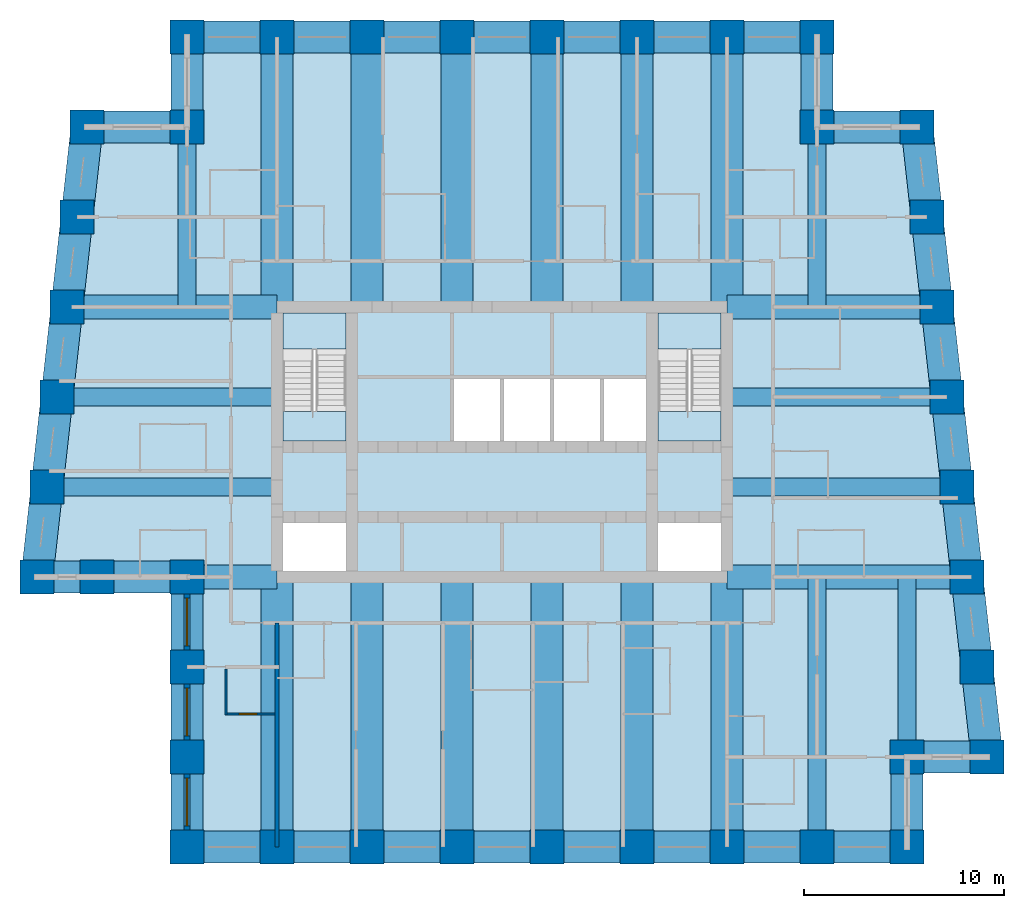
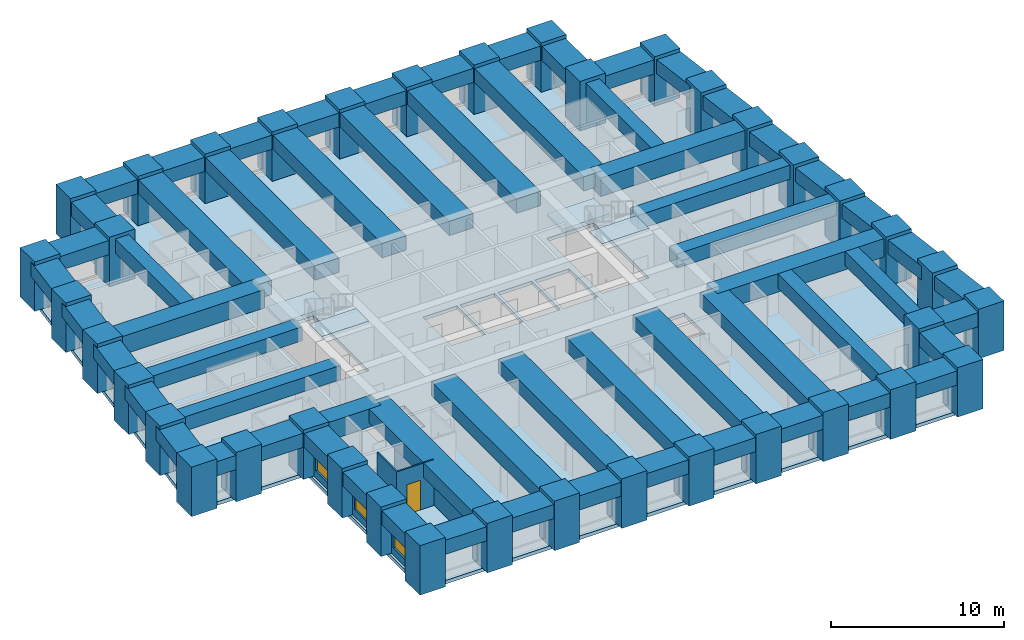
# One storey, part 1 of 8: 62 beams, 38 columns, 5 slabs, 4 walls, 3 windows, 1 door, 4 openings, 2 elements without a shape of their own.
"""IFC4 building model written with IfcOpenShell, lengths in metres."""

from ifc_helpers import new_model, si_unit, direction, frame, frame_2d, origin, origin_2d, place, context, subcontext, project, spatial, polyline, rectangle, outline, extrude, material, layer, layer_set, material_profile, profile_set, type_object, element, fill, aggregate, save


model = new_model("IFC4")

# Units and contexts
model_context = context("Model", 3, precision=1e-05, world=origin(), true_north=direction((0.0, 1.0)))
body_context = subcontext(model_context, "Body", "Model", "MODEL_VIEW")
ifc_project = project(units=[si_unit("LENGTHUNIT", "METRE"), si_unit("AREAUNIT", "SQUARE_METRE"), si_unit("VOLUMEUNIT", "CUBIC_METRE"), si_unit("PLANEANGLEUNIT", "RADIAN"), si_unit("MASSUNIT", "GRAM", prefix="KILO")], contexts=[model_context])

# Site, building, storey
site_placement = place(None, origin())
site = spatial("IfcSite", under=ifc_project, at=site_placement, CompositionType="ELEMENT")
building_placement = place(site_placement, origin())
building = spatial("IfcBuilding", under=site, at=building_placement, Name="Kilele Tower Hotel", CompositionType="ELEMENT")
storey_placement = place(building_placement, frame((0.0, 0.0, 193.89990234375)))
storey = spatial("IfcBuildingStorey", under=building, at=storey_placement, Name="L50", CompositionType="ELEMENT", Elevation=193.89990234375)

# Columns
ifc_material_1 = material(Name="Concrete C60/75", Category="concrete")
ifc_material_profile_1 = material_profile(ifc_material_1, rectangle(XDim=1.699951171875, YDim=1.699951171875, at=origin_2d()))
ifc_profile_set_1 = profile_set([ifc_material_profile_1], Name="Concrete C60/75")
column_type = type_object("IfcColumnType", Name="Tube column RC 1700x1700 C60/75", PredefinedType="COLUMN", material=ifc_profile_set_1)
for number, where, z_axis, x_axis, name in (
    (1, (1.5, 13.5, 0.0), (0.0, 0.0, 1.0), (1.0, 0.0, 0.0), "Column TC4 L50"),
    (2, (4.5, 13.5, 0.0), (0.0, 0.0, 1.0), (1.0, 0.0, 0.0), "Column TC4 L50"),
    (3, (9.0, 13.5, 0.0), (0.0, 0.0, 1.0), (1.0, 0.0, 0.0), "Column TC4 L50"),
    (4, (9.0, 9.0, 0.0), (0.0, 0.0, 1.0), (1.0, 0.0, 0.0), "Column TC4 L50"),
    (5, (9.0, 4.5, 0.0), (0.0, 0.0, 1.0), (1.0, 0.0, 0.0), "Column TC4 L50"),
    (6, (9.0, 0.0, 0.0), (0.0, 0.0, 1.0), (1.0, 0.0, 0.0), "Column TC4 L50"),
    (7, (13.5, 0.0, 0.0), (0.0, 0.0, 1.0), (1.0, 0.0, 0.0), "Column TC4 L50"),
    (8, (18.0, 0.0, 0.0), (0.0, 0.0, 1.0), (1.0, 0.0, 0.0), "Column TC4 L50"),
    (9, (22.5, 0.0, 0.0), (0.0, 0.0, 1.0), (1.0, 0.0, 0.0), "Column TC4 L50"),
    (10, (27.0, 0.0, 0.0), (0.0, 0.0, 1.0), (1.0, 0.0, 0.0), "Column TC4 L50"),
    (11, (31.5, 0.0, 0.0), (0.0, 0.0, 1.0), (1.0, 0.0, 0.0), "Column TC4 L50"),
    (12, (36.0, 0.0, 0.0), (0.0, 0.0, 1.0), (1.0, 0.0, 0.0), "Column TC4 L50"),
    (13, (40.5, 0.0, 0.0), (0.0, 0.0, 1.0), (1.0, 0.0, 0.0), "Column TC4 L50"),
    (14, (45.0, 0.0, 0.0), (0.0, 0.0, 1.0), (1.0, 0.0, 0.0), "Column TC4 L50"),
    (15, (45.0, 4.5, 0.0), (0.0, 0.0, 1.0), (1.0, 0.0, 0.0), "Column TC4 L50"),
    (16, (49.0, 4.5, 0.0), (0.0, 0.0, 1.0), (1.0, 0.0, 0.0), "Column TC4 L50"),
    (17, (48.5, 9.0, 0.0), (0.0, 0.0, 1.0), (1.0, 0.0, 0.0), "Column TC4 L50"),
    (18, (48.0, 13.5, 0.0), (0.0, 0.0, 1.0), (1.0, 0.0, 0.0), "Column TC4 L50"),
    (19, (47.5, 18.0, 0.0), (0.0, 0.0, 1.0), (1.0, 0.0, 0.0), "Column TC4 L50"),
    (20, (47.0, 22.5, 0.0), (0.0, 0.0, 1.0), (1.0, 0.0, 0.0), "Column TC4 L50"),
    (21, (46.5, 27.0, 0.0), (0.0, 0.0, 1.0), (1.0, 0.0, 0.0), "Column TC4 L50"),
    (22, (46.0, 31.5, 0.0), (0.0, 0.0, 1.0), (1.0, 0.0, 0.0), "Column TC4 L50"),
    (23, (45.5, 36.0, 0.0), (0.0, 0.0, 1.0), (1.0, 0.0, 0.0), "Column TC4 L50"),
    (24, (40.5, 36.0, 0.0), (0.0, 0.0, 1.0), (1.0, 0.0, 0.0), "Column TC4 L50"),
    (25, (40.5, 40.5, 0.0), (0.0, 0.0, 1.0), (1.0, 0.0, 0.0), "Column TC4 L50"),
    (26, (36.0, 40.5, 0.0), (0.0, 0.0, 1.0), (1.0, 0.0, 0.0), "Column TC4 L50"),
    (27, (31.5, 40.5, 0.0), (0.0, 0.0, 1.0), (1.0, 0.0, 0.0), "Column TC4 L50"),
    (28, (27.0, 40.5, 0.0), (0.0, 0.0, 1.0), (1.0, 0.0, 0.0), "Column TC4 L50"),
    (29, (22.5, 40.5, 0.0), (0.0, 0.0, 1.0), (1.0, 0.0, 0.0), "Column TC4 L50"),
    (30, (18.0, 40.5, 0.0), (0.0, 0.0, 1.0), (1.0, 0.0, 0.0), "Column TC4 L50"),
    (31, (13.5, 40.5, 0.0), (0.0, 0.0, 1.0), (1.0, 0.0, 0.0), "Column TC4 L50"),
    (32, (9.0, 40.5, 0.0), (0.0, 0.0, 1.0), (1.0, 0.0, 0.0), "Column TC4 L50"),
    (33, (9.0, 36.0, 0.0), (0.0, 0.0, 1.0), (1.0, 0.0, 0.0), "Column TC4 L50"),
    (34, (4.0, 36.0, 0.0), (0.0, 0.0, 1.0), (1.0, 0.0, 0.0), "Column TC4 L50"),
    (35, (3.5, 31.5, 0.0), (0.0, 0.0, 1.0), (1.0, 0.0, 0.0), "Column TC4 L50"),
    (36, (3.0, 27.0, 0.0), (0.0, 0.0, 1.0), (1.0, 0.0, 0.0), "Column TC4 L50"),
    (37, (2.5, 22.5, 0.0), (0.0, 0.0, 1.0), (1.0, 0.0, 0.0), "Column TC4 L50"),
    (38, (2.0, 18.0, 0.0), (0.0, 0.0, 1.0), (1.0, 0.0, 0.0), "Column TC4 L50"),
):
    element("IfcColumn", number, at=place(storey_placement, frame(where, z_axis=z_axis, x_axis=x_axis)), inside=storey, type_object=column_type, Name=name, PredefinedType="COLUMN", context=body_context, shape_type="SweptSolid", body=[
        extrude(rectangle(XDim=1.699951171875, YDim=1.699951171875, at=origin_2d()), origin(), (0.0, 0.0, 1.0), 3.5),
    ])

# Beams
ifc_material_2 = material(Name="Concrete C60/75", Category="concrete")
ifc_material_profile_2 = material_profile(ifc_material_2, rectangle(XDim=1.60009765625, YDim=1.0, at=origin_2d()))
ifc_profile_set_2 = profile_set([ifc_material_profile_2], Name="Concrete C60/75")
beam_type_1 = type_object("IfcBeamType", Name="Beam RC 1600x1000 C60/75", PredefinedType="BEAM", material=ifc_profile_set_2)
for number, where, z_axis, x_axis, name in (
    (39, (13.5, 0.0, 2.75), (0.0, 1.0, 0.0), (-1.0, 0.0, 0.0), "Beam BC1 level L51"),
    (40, (18.0, 0.0, 2.75), (0.0, 1.0, 0.0), (-1.0, 0.0, 0.0), "Beam BC1 level L51"),
    (41, (22.5, 0.0, 2.75), (0.0, 1.0, 0.0), (-1.0, 0.0, 0.0), "Beam BC1 level L51"),
    (42, (27.0, 0.0, 2.75), (0.0, 1.0, 0.0), (-1.0, 0.0, 0.0), "Beam BC1 level L51"),
    (43, (31.5, 0.0, 2.75), (0.0, 1.0, 0.0), (-1.0, 0.0, 0.0), "Beam BC1 level L51"),
    (44, (36.0, 0.0, 2.75), (0.0, 1.0, 0.0), (-1.0, 0.0, 0.0), "Beam BC1 level L51"),
    (45, (36.0, 40.5, 2.75), (0.0, -1.0, 0.0), (1.0, 0.0, 0.0), "Beam BC1 level L51"),
    (46, (31.5, 40.5, 2.75), (0.0, -1.0, 0.0), (1.0, 0.0, 0.0), "Beam BC1 level L51"),
    (47, (27.0, 40.5, 2.75), (0.0, -1.0, 0.0), (1.0, 0.0, 0.0), "Beam BC1 level L51"),
    (48, (22.5, 40.5, 2.75), (0.0, -1.0, 0.0), (1.0, 0.0, 0.0), "Beam BC1 level L51"),
    (49, (18.0, 40.5, 2.75), (0.0, -1.0, 0.0), (1.0, 0.0, 0.0), "Beam BC1 level L51"),
    (50, (13.5, 40.5, 2.75), (0.0, -1.0, 0.0), (1.0, 0.0, 0.0), "Beam BC1 level L51"),
):
    element("IfcBeam", number, at=place(storey_placement, frame(where, z_axis=z_axis, x_axis=x_axis)), inside=storey, type_object=beam_type_1, Name=name, PredefinedType="BEAM", context=body_context, shape_type="SweptSolid", body=[
        extrude(rectangle(XDim=1.60009765625, YDim=1.0, at=origin_2d()), origin(), (0.0, 0.0, 1.0), 13.5),
    ])
ifc_material_3 = material(Name="Concrete C60/75", Category="concrete")
ifc_material_profile_3 = material_profile(ifc_material_3, rectangle(XDim=0.89990234375, YDim=1.0, at=origin_2d()))
ifc_profile_set_3 = profile_set([ifc_material_profile_3], Name="Concrete C60/75")
beam_type_2 = type_object("IfcBeamType", Name="Beam RC 900x1000 C60/75", PredefinedType="BEAM", material=ifc_profile_set_3)
beam_1_placement = place(storey_placement, frame((40.5, 0.0, 2.75), z_axis=(0.0, 1.0, 0.0), x_axis=(-1.0, 0.0, 0.0)))
element("IfcBeam", 51, at=beam_1_placement, inside=storey, type_object=beam_type_2, Name="Beam B8 level L51", PredefinedType="BEAM", context=body_context, shape_type="SweptSolid", body=[
    extrude(rectangle(XDim=0.89990234375, YDim=1.0, at=origin_2d()), origin(), (0.0, 0.0, 1.0), 13.5),
])
beam_2_placement = place(storey_placement, frame((45.0, 4.5, 2.75), z_axis=(0.0, 1.0, 0.0), x_axis=(-1.0, 0.0, 0.0)))
element("IfcBeam", 52, at=beam_2_placement, inside=storey, type_object=beam_type_2, Name="Beam B8 level L51", PredefinedType="BEAM", context=body_context, shape_type="SweptSolid", body=[
    extrude(rectangle(XDim=0.89990234375, YDim=1.0, at=origin_2d()), origin(), (0.0, 0.0, 1.0), 9.0),
])
beam_3_placement = place(storey_placement, frame((47.5, 18.0, 2.75), z_axis=(-1.0, 0.0, 0.0), x_axis=(0.0, -1.0, 0.0)))
element("IfcBeam", 53, at=beam_3_placement, inside=storey, type_object=beam_type_2, Name="Beam B8 level L51", PredefinedType="BEAM", context=body_context, shape_type="SweptSolid", body=[
    extrude(rectangle(XDim=0.89990234375, YDim=1.0, at=origin_2d()), origin(), (0.0, 0.0, 1.0), 11.5),
])
beam_4_placement = place(storey_placement, frame((47.0, 22.5, 2.75), z_axis=(-1.0, 0.0, 0.0), x_axis=(0.0, -1.0, 0.0)))
element("IfcBeam", 54, at=beam_4_placement, inside=storey, type_object=beam_type_2, Name="Beam B8 level L51", PredefinedType="BEAM", context=body_context, shape_type="SweptSolid", body=[
    extrude(rectangle(XDim=0.89990234375, YDim=1.0, at=origin_2d()), origin(), (0.0, 0.0, 1.0), 11.0),
])
for number, where, z_axis, x_axis, name in (
    (55, (40.5, 36.0, 2.75), (0.0, -1.0, 0.0), (1.0, 0.0, 0.0), "Beam B8 level L51"),
    (56, (9.0, 36.0, 2.75), (0.0, -1.0, 0.0), (1.0, 0.0, 0.0), "Beam B8 level L51"),
):
    element("IfcBeam", number, at=place(storey_placement, frame(where, z_axis=z_axis, x_axis=x_axis)), inside=storey, type_object=beam_type_2, Name=name, PredefinedType="BEAM", context=body_context, shape_type="SweptSolid", body=[
        extrude(rectangle(XDim=0.89990234375, YDim=1.0, at=origin_2d()), origin(), (0.0, 0.0, 1.0), 9.0),
    ])
beam_5_placement = place(storey_placement, frame((2.5, 22.5, 2.75), z_axis=(1.0, 0.0, 0.0), x_axis=(0.0, 1.0, 0.0)))
element("IfcBeam", 57, at=beam_5_placement, inside=storey, type_object=beam_type_2, Name="Beam B8 level L51", PredefinedType="BEAM", context=body_context, shape_type="SweptSolid", body=[
    extrude(rectangle(XDim=0.89990234375, YDim=1.0, at=origin_2d()), origin(), (0.0, 0.0, 1.0), 11.0),
])
beam_6_placement = place(storey_placement, frame((2.0, 18.0, 2.75), z_axis=(1.0, 0.0, 0.0), x_axis=(0.0, 1.0, 0.0)))
element("IfcBeam", 58, at=beam_6_placement, inside=storey, type_object=beam_type_2, Name="Beam B8 level L51", PredefinedType="BEAM", context=body_context, shape_type="SweptSolid", body=[
    extrude(rectangle(XDim=0.89990234375, YDim=1.0, at=origin_2d()), origin(), (0.0, 0.0, 1.0), 11.5),
])
ifc_material_4 = material(Name="Concrete C60/75", Category="concrete")
ifc_material_profile_4 = material_profile(ifc_material_4, rectangle(XDim=1.199951171875, YDim=1.300048828125, at=origin_2d()))
ifc_profile_set_4 = profile_set([ifc_material_profile_4], Name="Concrete C60/75")
beam_type_3 = type_object("IfcBeamType", Name="Girder RC 1200x1300 C60/75", PredefinedType="BEAM", material=ifc_profile_set_4)
beam_7_placement = place(storey_placement, frame((48.0, 13.5, 2.60009765625), z_axis=(-1.0, 0.0, 0.0), x_axis=(0.0, -1.0, 0.0)))
element("IfcBeam", 59, at=beam_7_placement, inside=storey, type_object=beam_type_3, Name="Girder G1 level L51", PredefinedType="BEAM", context=body_context, shape_type="SweptSolid", body=[
    extrude(rectangle(XDim=1.199951171875, YDim=1.300048828125, at=origin_2d()), origin(), (0.0, 0.0, 1.0), 12.0),
])
ifc_material_5 = material(Name="Concrete C60/75", Category="concrete")
ifc_material_profile_5 = material_profile(ifc_material_5, rectangle(XDim=1.199951171875, YDim=1.300048828125, at=origin_2d()))
ifc_profile_set_5 = profile_set([ifc_material_profile_5], Name="Concrete C60/75")
beam_type_4 = type_object("IfcBeamType", Name="Girder RC 1200x1300 C60/75 mid span", PredefinedType="BEAM", material=ifc_profile_set_5)
for number, where, z_axis, x_axis, name in (
    (60, (46.5, 27.0, 2.60009765625), (-1.0, 0.0, 0.0), (0.0, -1.0, 0.0), "Girder G3 level L51"),
    (61, (3.0, 27.0, 2.60009765625), (1.0, 0.0, 0.0), (0.0, 1.0, 0.0), "Girder G3 level L51"),
):
    element("IfcBeam", number, at=place(storey_placement, frame(where, z_axis=z_axis, x_axis=x_axis)), inside=storey, type_object=beam_type_4, Name=name, PredefinedType="BEAM", context=body_context, shape_type="SweptSolid", body=[
        extrude(rectangle(XDim=1.199951171875, YDim=1.300048828125, at=origin_2d()), origin(), (0.0, 0.0, 1.0), 10.5),
    ])
ifc_material_6 = material(Name="Concrete C60/75", Category="concrete")
ifc_material_profile_6 = material_profile(ifc_material_6, rectangle(XDim=1.199951171875, YDim=1.300048828125, at=origin_2d()))
ifc_profile_set_6 = profile_set([ifc_material_profile_6], Name="Concrete C60/75")
beam_type_5 = type_object("IfcBeamType", Name="Girder RC 1200x1300 C60/75 short span", PredefinedType="BEAM", material=ifc_profile_set_6)
beam_8_placement = place(storey_placement, frame((9.0, 13.5, 2.60009765625), z_axis=(1.0, 0.0, 0.0), x_axis=(0.0, 1.0, 0.0)))
element("IfcBeam", 62, at=beam_8_placement, inside=storey, type_object=beam_type_5, Name="Girder G5 level L51", PredefinedType="BEAM", context=body_context, shape_type="SweptSolid", body=[
    extrude(rectangle(XDim=1.199951171875, YDim=1.300048828125, at=origin_2d()), origin(), (0.0, 0.0, 1.0), 4.5),
])
ifc_material_7 = material(Name="Concrete C60/75", Category="concrete")
ifc_material_profile_7 = material_profile(ifc_material_7, rectangle(XDim=1.60009765625, YDim=1.0, at=origin_2d()))
ifc_profile_set_7 = profile_set([ifc_material_profile_7], Name="Concrete C60/75")
beam_type_6 = type_object("IfcBeamType", Name="Spandrel RC 1600x1000 C60/75", PredefinedType="SPANDREL", material=ifc_profile_set_7)
beam_9_placement = place(storey_placement, frame((1.5, 13.5, 2.75), z_axis=(1.0, 0.0, 0.0), x_axis=(0.0, 1.0, 0.0)))
element("IfcBeam", 63, at=beam_9_placement, inside=storey, type_object=beam_type_6, Name="Spandrel SP2 level L51", PredefinedType="SPANDREL", context=body_context, shape_type="SweptSolid", body=[
    extrude(rectangle(XDim=1.60009765625, YDim=1.0, at=origin_2d()), origin(), (0.0, 0.0, 1.0), 3.0),
])
for number, where, z_axis, x_axis, name in (
    (64, (4.5, 13.5, 2.75), (1.0, 0.0, 0.0), (0.0, 1.0, 0.0), "Spandrel SP2 level L51"),
    (65, (9.0, 13.5, 2.75), (0.0, -1.0, 0.0), (1.0, 0.0, 0.0), "Spandrel SP2 level L51"),
    (66, (9.0, 9.0, 2.75), (0.0, -1.0, 0.0), (1.0, 0.0, 0.0), "Spandrel SP2 level L51"),
    (67, (9.0, 4.5, 2.75), (0.0, -1.0, 0.0), (1.0, 0.0, 0.0), "Spandrel SP2 level L51"),
    (68, (9.0, 0.0, 2.75), (1.0, 0.0, 0.0), (0.0, 1.0, 0.0), "Spandrel SP2 level L51"),
    (69, (13.5, 0.0, 2.75), (1.0, 0.0, 0.0), (0.0, 1.0, 0.0), "Spandrel SP2 level L51"),
    (70, (18.0, 0.0, 2.75), (1.0, 0.0, 0.0), (0.0, 1.0, 0.0), "Spandrel SP2 level L51"),
    (71, (22.5, 0.0, 2.75), (1.0, 0.0, 0.0), (0.0, 1.0, 0.0), "Spandrel SP2 level L51"),
    (72, (27.0, 0.0, 2.75), (1.0, 0.0, 0.0), (0.0, 1.0, 0.0), "Spandrel SP2 level L51"),
    (73, (31.5, 0.0, 2.75), (1.0, 0.0, 0.0), (0.0, 1.0, 0.0), "Spandrel SP2 level L51"),
    (74, (36.0, 0.0, 2.75), (1.0, 0.0, 0.0), (0.0, 1.0, 0.0), "Spandrel SP2 level L51"),
    (75, (40.5, 0.0, 2.75), (1.0, 0.0, 0.0), (0.0, 1.0, 0.0), "Spandrel SP2 level L51"),
    (76, (45.0, 0.0, 2.75), (0.0, 1.0, 0.0), (-1.0, 0.0, 0.0), "Spandrel SP2 level L51"),
):
    element("IfcBeam", number, at=place(storey_placement, frame(where, z_axis=z_axis, x_axis=x_axis)), inside=storey, type_object=beam_type_6, Name=name, PredefinedType="SPANDREL", context=body_context, shape_type="SweptSolid", body=[
        extrude(rectangle(XDim=1.60009765625, YDim=1.0, at=origin_2d()), origin(), (0.0, 0.0, 1.0), 4.5),
    ])
beam_10_placement = place(storey_placement, frame((45.0, 4.5, 2.75), z_axis=(1.0, 0.0, 0.0), x_axis=(0.0, 1.0, 0.0)))
element("IfcBeam", 77, at=beam_10_placement, inside=storey, type_object=beam_type_6, Name="Spandrel SP2 level L51", PredefinedType="SPANDREL", context=body_context, shape_type="SweptSolid", body=[
    extrude(rectangle(XDim=1.60009765625, YDim=1.0, at=origin_2d()), origin(), (0.0, 0.0, 1.0), 4.0),
])
for number, where, z_axis, x_axis, name in (
    (78, (49.0, 4.5, 2.75), (-0.110431526075, 0.993883734674, 0.0), (-0.993883734674, -0.110431526075, 0.0), "Spandrel SP2 level L51"),
    (79, (48.5, 9.0, 2.75), (-0.110431526075, 0.993883734674, 0.0), (-0.993883734674, -0.110431526075, 0.0), "Spandrel SP2 level L51"),
    (80, (48.0, 13.5, 2.75), (-0.110431526075, 0.993883734674, 0.0), (-0.993883734674, -0.110431526075, 0.0), "Spandrel SP2 level L51"),
    (81, (47.5, 18.0, 2.75), (-0.110431526075, 0.993883734674, 0.0), (-0.993883734674, -0.110431526075, 0.0), "Spandrel SP2 level L51"),
    (82, (47.0, 22.5, 2.75), (-0.110431526075, 0.993883734674, 0.0), (-0.993883734674, -0.110431526075, 0.0), "Spandrel SP2 level L51"),
    (83, (46.5, 27.0, 2.75), (-0.110431526075, 0.993883734674, 0.0), (-0.993883734674, -0.110431526075, 0.0), "Spandrel SP2 level L51"),
    (84, (46.0, 31.5, 2.75), (-0.110431526075, 0.993883734674, 0.0), (-0.993883734674, -0.110431526075, 0.0), "Spandrel SP2 level L51"),
):
    element("IfcBeam", number, at=place(storey_placement, frame(where, z_axis=z_axis, x_axis=x_axis)), inside=storey, type_object=beam_type_6, Name=name, PredefinedType="SPANDREL", context=body_context, shape_type="SweptSolid", body=[
        extrude(rectangle(XDim=1.60009765625, YDim=1.0, at=origin_2d()), origin(), (0.0, 0.0, 1.0), 4.527587890625),
    ])
beam_11_placement = place(storey_placement, frame((45.5, 36.0, 2.75), z_axis=(-1.0, 0.0, 0.0), x_axis=(0.0, -1.0, 0.0)))
element("IfcBeam", 85, at=beam_11_placement, inside=storey, type_object=beam_type_6, Name="Spandrel SP2 level L51", PredefinedType="SPANDREL", context=body_context, shape_type="SweptSolid", body=[
    extrude(rectangle(XDim=1.60009765625, YDim=1.0, at=origin_2d()), origin(), (0.0, 0.0, 1.0), 5.0),
])
for number, where, z_axis, x_axis, name in (
    (86, (40.5, 36.0, 2.75), (0.0, 1.0, 0.0), (-1.0, 0.0, 0.0), "Spandrel SP2 level L51"),
    (87, (40.5, 40.5, 2.75), (-1.0, 0.0, 0.0), (0.0, -1.0, 0.0), "Spandrel SP2 level L51"),
    (88, (36.0, 40.5, 2.75), (-1.0, 0.0, 0.0), (0.0, -1.0, 0.0), "Spandrel SP2 level L51"),
    (89, (31.5, 40.5, 2.75), (-1.0, 0.0, 0.0), (0.0, -1.0, 0.0), "Spandrel SP2 level L51"),
    (90, (27.0, 40.5, 2.75), (-1.0, 0.0, 0.0), (0.0, -1.0, 0.0), "Spandrel SP2 level L51"),
    (91, (22.5, 40.5, 2.75), (-1.0, 0.0, 0.0), (0.0, -1.0, 0.0), "Spandrel SP2 level L51"),
    (92, (18.0, 40.5, 2.75), (-1.0, 0.0, 0.0), (0.0, -1.0, 0.0), "Spandrel SP2 level L51"),
    (93, (13.5, 40.5, 2.75), (-1.0, 0.0, 0.0), (0.0, -1.0, 0.0), "Spandrel SP2 level L51"),
    (94, (9.0, 40.5, 2.75), (0.0, -1.0, 0.0), (1.0, 0.0, 0.0), "Spandrel SP2 level L51"),
):
    element("IfcBeam", number, at=place(storey_placement, frame(where, z_axis=z_axis, x_axis=x_axis)), inside=storey, type_object=beam_type_6, Name=name, PredefinedType="SPANDREL", context=body_context, shape_type="SweptSolid", body=[
        extrude(rectangle(XDim=1.60009765625, YDim=1.0, at=origin_2d()), origin(), (0.0, 0.0, 1.0), 4.5),
    ])
beam_12_placement = place(storey_placement, frame((9.0, 36.0, 2.75), z_axis=(-1.0, 0.0, 0.0), x_axis=(0.0, -1.0, 0.0)))
element("IfcBeam", 95, at=beam_12_placement, inside=storey, type_object=beam_type_6, Name="Spandrel SP2 level L51", PredefinedType="SPANDREL", context=body_context, shape_type="SweptSolid", body=[
    extrude(rectangle(XDim=1.60009765625, YDim=1.0, at=origin_2d()), origin(), (0.0, 0.0, 1.0), 5.0),
])
for number, where, z_axis, x_axis, name in (
    (96, (4.0, 36.0, 2.75), (-0.110431526075, -0.993883734674, 0.0), (0.993883734674, -0.110431526075, 0.0), "Spandrel SP2 level L51"),
    (97, (3.5, 31.5, 2.75), (-0.110431526075, -0.993883734674, 0.0), (0.993883734674, -0.110431526075, 0.0), "Spandrel SP2 level L51"),
    (98, (3.0, 27.0, 2.75), (-0.110431526075, -0.993883734674, 0.0), (0.993883734674, -0.110431526075, 0.0), "Spandrel SP2 level L51"),
    (99, (2.5, 22.5, 2.75), (-0.110431526075, -0.993883734674, 0.0), (0.993883734674, -0.110431526075, 0.0), "Spandrel SP2 level L51"),
    (100, (2.0, 18.0, 2.75), (-0.110431526075, -0.993883734674, 0.0), (0.993883734674, -0.110431526075, 0.0), "Spandrel SP2 level L51"),
):
    element("IfcBeam", number, at=place(storey_placement, frame(where, z_axis=z_axis, x_axis=x_axis)), inside=storey, type_object=beam_type_6, Name=name, PredefinedType="SPANDREL", context=body_context, shape_type="SweptSolid", body=[
        extrude(rectangle(XDim=1.60009765625, YDim=1.0, at=origin_2d()), origin(), (0.0, 0.0, 1.0), 4.527587890625),
    ])

# Slab
ifc_material_8 = material(Name="Concrete C60/75", Category="concrete")
ifc_layer_1 = layer(ifc_material_8, 0.25)
ifc_layer_set_1 = layer_set([ifc_layer_1], Name="Concrete C60/75")
slab_type_1 = type_object("IfcSlabType", Name="Floor slab 250", PredefinedType="FLOOR", material=ifc_layer_set_1)
slab_1_placement = place(storey_placement, frame((0.0, 0.0, -0.25)))
element("IfcSlab", 101, at=slab_1_placement, inside=storey, type_object=slab_type_1, Name="Floor slab L50", PredefinedType="FLOOR", context=body_context, shape_type="SweptSolid", body=[
    extrude(outline(polyline([(8.699951171875, 36.300048828125), (8.699951171875, 40.800048828125), (40.800048828125, 40.800048828125), (40.800048828125, 36.300048828125), (45.7685546875, 36.300048828125), (49.335205078125, 4.199951171875), (45.300048828125, 4.199951171875), (45.300048828125, -0.300048828125), (8.699951171875, -0.300048828125), (8.699951171875, 13.199951171875), (1.164794921875, 13.199951171875), (3.7314453125, 36.300048828125), (8.699951171875, 36.300048828125)]), holes=[polyline([(16.949951171875, 16.199951171875), (13.800048828125, 16.199951171875), (13.800048828125, 13.800048828125), (16.949951171875, 13.800048828125), (16.949951171875, 16.199951171875)]), polyline([(35.699951171875, 16.199951171875), (32.550048828125, 16.199951171875), (32.550048828125, 13.800048828125), (35.699951171875, 13.800048828125), (35.699951171875, 16.199951171875)]), polyline([(24.64990234375, 23.39990234375), (22.35009765625, 23.39990234375), (22.35009765625, 20.10009765625), (24.64990234375, 20.10009765625), (24.64990234375, 23.39990234375)]), polyline([(27.14990234375, 23.39990234375), (24.85009765625, 23.39990234375), (24.85009765625, 20.10009765625), (27.14990234375, 20.10009765625), (27.14990234375, 23.39990234375)]), polyline([(29.64990234375, 23.39990234375), (27.35009765625, 23.39990234375), (27.35009765625, 20.10009765625), (29.64990234375, 20.10009765625), (29.64990234375, 23.39990234375)]), polyline([(32.14990234375, 23.39990234375), (29.85009765625, 23.39990234375), (29.85009765625, 20.10009765625), (32.14990234375, 20.10009765625), (32.14990234375, 23.39990234375)]), polyline([(16.949951171875, 26.699951171875), (13.800048828125, 26.699951171875), (13.800048828125, 20.300048828125), (16.949951171875, 20.300048828125), (16.949951171875, 26.699951171875)]), polyline([(35.699951171875, 26.699951171875), (32.550048828125, 26.699951171875), (32.550048828125, 20.300048828125), (35.699951171875, 20.300048828125), (35.699951171875, 26.699951171875)])]), origin(), (0.0, 0.0, 1.0), 0.25),
])

# Stair, slabs
ifc_material_9 = material(Name="Precast concrete C40/50", Category="concrete")
stair_type = type_object("IfcStairType", Name="Stair 1475 x 3500", PredefinedType="HALF_TURN_STAIR", material=ifc_material_9)
stair_1_placement = place(storey_placement, origin())
stair_1 = element("IfcStair", 102, at=stair_1_placement, inside=storey, type_object=stair_type, Name="Stair 1 L50", PredefinedType="HALF_TURN_STAIR")
ifc_material_10 = material(Name="Precast concrete C40/50", Category="concrete")
ifc_layer_2 = layer(ifc_material_10, 0.199951171875)
ifc_layer_set_2 = layer_set([ifc_layer_2], Name="Precast concrete C40/50")
slab_type_2 = type_object("IfcSlabType", Name="Stair landing 200", PredefinedType="LANDING", material=ifc_layer_set_2)
slab_2_placement = place(storey_placement, frame((0.0, 0.0, 1.550048828125)))
slab_2 = element("IfcSlab", 103, at=slab_2_placement, type_object=slab_type_2, Name="ST1 landing 1", PredefinedType="LANDING", context=body_context, shape_type="SweptSolid", body=[
    extrude(outline(polyline([(13.800048828125, 24.89501953125), (16.949951171875, 24.89501953125), (16.949951171875, 26.699951171875), (13.800048828125, 26.699951171875), (13.800048828125, 24.89501953125)])), origin(), (0.0, 0.0, 1.0), 0.199951171875),
])
slab_3_placement = place(storey_placement, frame((0.0, 0.0, 3.300048828125)))
slab_3 = element("IfcSlab", 104, at=slab_3_placement, type_object=slab_type_2, Name="ST1 landing 2", PredefinedType="LANDING", context=body_context, shape_type="SweptSolid", body=[
    extrude(outline(polyline([(13.800048828125, 20.300048828125), (16.949951171875, 20.300048828125), (16.949951171875, 21.77490234375), (13.800048828125, 21.77490234375), (13.800048828125, 20.300048828125)])), origin(), (0.0, 0.0, 1.0), 0.199951171875),
])
aggregate(stair_1, [slab_2, slab_3])

stair_2_placement = place(storey_placement, origin())
stair_2 = element("IfcStair", 105, at=stair_2_placement, inside=storey, type_object=stair_type, Name="Stair 2 L50", PredefinedType="HALF_TURN_STAIR")
slab_4_placement = place(storey_placement, frame((0.0, 0.0, 1.550048828125)))
slab_4 = element("IfcSlab", 106, at=slab_4_placement, type_object=slab_type_2, Name="ST2 landing 1", PredefinedType="LANDING", context=body_context, shape_type="SweptSolid", body=[
    extrude(outline(polyline([(32.550048828125, 24.89501953125), (35.699951171875, 24.89501953125), (35.699951171875, 26.699951171875), (32.550048828125, 26.699951171875), (32.550048828125, 24.89501953125)])), origin(), (0.0, 0.0, 1.0), 0.199951171875),
])
slab_5_placement = place(storey_placement, frame((0.0, 0.0, 3.300048828125)))
slab_5 = element("IfcSlab", 107, at=slab_5_placement, type_object=slab_type_2, Name="ST2 landing 2", PredefinedType="LANDING", context=body_context, shape_type="SweptSolid", body=[
    extrude(outline(polyline([(32.550048828125, 20.300048828125), (35.699951171875, 20.300048828125), (35.699951171875, 21.77490234375), (32.550048828125, 21.77490234375), (32.550048828125, 20.300048828125)])), origin(), (0.0, 0.0, 1.0), 0.199951171875),
])
aggregate(stair_2, [slab_4, slab_5])

# Wall
ifc_material_11 = material(Name="Moisture-resistant board")
ifc_layer_3 = layer(ifc_material_11, 0.10009765625)
ifc_layer_set_3 = layer_set([ifc_layer_3], Name="Moisture-resistant board")
wall_type_1 = type_object("IfcWallType", Name="Bathroom partition 100", PredefinedType="PLUMBINGWALL", material=ifc_layer_set_3)
wall_1_placement = place(storey_placement, frame((10.949951171875, 8.89990234375, 0.0), z_axis=(0.0, 0.0, 1.0), x_axis=(0.0, -1.0, 0.0)))
element("IfcWall", 108, at=wall_1_placement, inside=storey, type_object=wall_type_1, Name="Bathroom partition 100 L50", PredefinedType="PLUMBINGWALL", context=body_context, shape_type="SweptSolid", body=[
    extrude(rectangle(XDim=2.2998046875, YDim=0.10009765625, at=frame_2d((1.14990234375, 0.0))), origin(), (0.0, 0.0, 1.0), 3.25),
])

# Wall, opening, door
wall_2_placement = place(storey_placement, frame((13.39990234375, 6.64990234375, 0.0), z_axis=(0.0, 0.0, 1.0), x_axis=(-1.0, 0.0, 0.0)))
wall_2 = element("IfcWall", 109, at=wall_2_placement, inside=storey, type_object=wall_type_1, Name="Bathroom partition 100 L50", PredefinedType="PLUMBINGWALL", context=body_context, shape_type="SweptSolid", body=[
    extrude(rectangle(XDim=2.5, YDim=0.10009765625, at=frame_2d((1.25, 0.0))), origin(), (0.0, 0.0, 1.0), 3.25),
])
opening_1_placement = place(wall_2_placement, frame((0.89990234375, 0.0, 0.0)))
opening_1 = element("IfcOpeningElement", 110, at=opening_1_placement, cuts=wall_2, Name="Opening D2A", PredefinedType="OPENING", context=body_context, shape_type="SweptSolid", body=[
    extrude(rectangle(XDim=0.89990234375, YDim=2.10009765625, at=frame_2d((0.449951171875, 1.050048828125))), frame((0.0, 0.06005859375, 0.0), z_axis=(0.0, -1.0, 0.0), x_axis=(1.0, 0.0, 0.0)), (0.0, 0.0, 1.0), 0.1201171875),
])
ifc_material_12 = material(Name="Timber door leaf in hardwood frame", Category="wood")
door_type = type_object("IfcDoorType", Name="Bathroom door 900", OperationType="SINGLE_SWING_LEFT", PredefinedType="DOOR", material=ifc_material_12)
door_placement = place(opening_1_placement, origin())
door = element("IfcDoor", 111, at=door_placement, inside=storey, type_object=door_type, Name="Bathroom door 5018B", OperationType="SINGLE_SWING_LEFT", OverallHeight=2.10009765625, OverallWidth=0.89990234375, PredefinedType="DOOR", context=body_context, shape_type="SweptSolid", body=[
    extrude(rectangle(XDim=0.89990234375, YDim=2.10009765625, at=frame_2d((0.449951171875, 1.050048828125))), frame((0.0, 0.02490234375, 0.0), z_axis=(0.0, -1.0, 0.0), x_axis=(1.0, 0.0, 0.0)), (0.0, 0.0, 1.0), 0.050048828125),
])
fill(opening_1, door)

# Wall
ifc_material_13 = material(Name="Blockwork, plastered both sides", Category="masonry")
ifc_layer_4 = layer(ifc_material_13, 0.199951171875)
ifc_layer_set_4 = layer_set([ifc_layer_4], Name="Blockwork, plastered both sides")
wall_type_2 = type_object("IfcWallType", Name="Party wall 200", PredefinedType="PARTITIONING", material=ifc_layer_set_4)
wall_3_placement = place(storey_placement, frame((13.5, 11.199951171875, 0.0), z_axis=(0.0, 0.0, 1.0), x_axis=(0.0, -1.0, 0.0)))
element("IfcWall", 112, at=wall_3_placement, inside=storey, type_object=wall_type_2, Name="Party wall 200 L50", PredefinedType="PARTITIONING", context=body_context, shape_type="SweptSolid", body=[
    extrude(rectangle(XDim=11.199951171875, YDim=0.199951171875, at=frame_2d((5.60009765625, 0.0))), origin(), (0.0, 0.0, 1.0), 2.25),
])

# Wall, openings, windows
ifc_material_14 = material(Name="Concrete C40/50 precast", Category="concrete")
ifc_layer_5 = layer(ifc_material_14, 0.260009765625, Name="Precast backing", Category="LoadBearing")
ifc_material_15 = material(Name="Reconstituted stone finish", Category="masonry")
ifc_layer_6 = layer(ifc_material_15, 0.0400390625, Name="Face mix", Category="Finish")
ifc_layer_set_5 = layer_set([ifc_layer_5, ifc_layer_6], Name="Precast concrete C40/50, reconstituted stone finish")
wall_type_3 = type_object("IfcWallType", Name="Precast stone facade wall 300", PredefinedType="STANDARD", material=ifc_layer_set_5)
wall_4_placement = place(storey_placement, frame((9.0, 13.64990234375, 0.0), z_axis=(0.0, 0.0, 1.0), x_axis=(0.0, -1.0, 0.0)))
wall_4 = element("IfcWall", 113, at=wall_4_placement, inside=storey, type_object=wall_type_3, Name="Facade wall L50 edge 2", PredefinedType="STANDARD", context=body_context, shape_type="SweptSolid", body=[
    extrude(rectangle(XDim=13.7998046875, YDim=0.300048828125, at=frame_2d((6.89990234375, 0.0))), origin(), (0.0, 0.0, 1.0), 2.25),
])
opening_2_placement = place(wall_4_placement, frame((1.199951171875, 0.0, 0.5)))
opening_2 = element("IfcOpeningElement", 114, at=opening_2_placement, cuts=wall_4, Name="Opening W3", PredefinedType="OPENING", context=body_context, shape_type="SweptSolid", body=[
    extrude(rectangle(XDim=2.39990234375, YDim=1.60009765625, at=frame_2d((1.199951171875, 0.800048828125))), frame((0.0, 0.159912109375, 0.0), z_axis=(0.0, -1.0, 0.0), x_axis=(1.0, 0.0, 0.0)), (0.0, 0.0, 1.0), 0.320068359375),
])
opening_3_placement = place(wall_4_placement, frame((5.699951171875, 0.0, 0.5)))
opening_3 = element("IfcOpeningElement", 115, at=opening_3_placement, cuts=wall_4, Name="Opening W3", PredefinedType="OPENING", context=body_context, shape_type="SweptSolid", body=[
    extrude(rectangle(XDim=2.39990234375, YDim=1.60009765625, at=frame_2d((1.199951171875, 0.800048828125))), frame((0.0, 0.159912109375, 0.0), z_axis=(0.0, -1.0, 0.0), x_axis=(1.0, 0.0, 0.0)), (0.0, 0.0, 1.0), 0.320068359375),
])
opening_4_placement = place(wall_4_placement, frame((10.199951171875, 0.0, 0.5)))
opening_4 = element("IfcOpeningElement", 116, at=opening_4_placement, cuts=wall_4, Name="Opening W3", PredefinedType="OPENING", context=body_context, shape_type="SweptSolid", body=[
    extrude(rectangle(XDim=2.39990234375, YDim=1.60009765625, at=frame_2d((1.199951171875, 0.800048828125))), frame((0.0, 0.159912109375, 0.0), z_axis=(0.0, -1.0, 0.0), x_axis=(1.0, 0.0, 0.0)), (0.0, 0.0, 1.0), 0.320068359375),
])
ifc_material_16 = material(Name="Aluminium frame, clear double glazing", Category="aluminium")
window_type = type_object("IfcWindowType", Name="Window W3 2400 x 1600", PartitioningType="SINGLE_PANEL", PredefinedType="WINDOW", material=ifc_material_16)
window_1_placement = place(opening_2_placement, origin())
window_1 = element("IfcWindow", 117, at=window_1_placement, inside=storey, type_object=window_type, Name="Window L50", OverallHeight=1.60009765625, OverallWidth=2.39990234375, PartitioningType="SINGLE_PANEL", PredefinedType="WINDOW", context=body_context, shape_type="SweptSolid", body=[
    extrude(rectangle(XDim=2.39990234375, YDim=1.60009765625, at=frame_2d((1.199951171875, 0.800048828125))), frame((0.0, 0.030029296875, 0.0), z_axis=(0.0, -1.0, 0.0), x_axis=(1.0, 0.0, 0.0)), (0.0, 0.0, 1.0), 0.06005859375),
])
fill(opening_2, window_1)
window_2_placement = place(opening_3_placement, origin())
window_2 = element("IfcWindow", 118, at=window_2_placement, inside=storey, type_object=window_type, Name="Window L50", OverallHeight=1.60009765625, OverallWidth=2.39990234375, PartitioningType="SINGLE_PANEL", PredefinedType="WINDOW", context=body_context, shape_type="SweptSolid", body=[
    extrude(rectangle(XDim=2.39990234375, YDim=1.60009765625, at=frame_2d((1.199951171875, 0.800048828125))), frame((0.0, 0.030029296875, 0.0), z_axis=(0.0, -1.0, 0.0), x_axis=(1.0, 0.0, 0.0)), (0.0, 0.0, 1.0), 0.06005859375),
])
fill(opening_3, window_2)
window_3_placement = place(opening_4_placement, origin())
window_3 = element("IfcWindow", 119, at=window_3_placement, inside=storey, type_object=window_type, Name="Window L50", OverallHeight=1.60009765625, OverallWidth=2.39990234375, PartitioningType="SINGLE_PANEL", PredefinedType="WINDOW", context=body_context, shape_type="SweptSolid", body=[
    extrude(rectangle(XDim=2.39990234375, YDim=1.60009765625, at=frame_2d((1.199951171875, 0.800048828125))), frame((0.0, 0.030029296875, 0.0), z_axis=(0.0, -1.0, 0.0), x_axis=(1.0, 0.0, 0.0)), (0.0, 0.0, 1.0), 0.06005859375),
])
fill(opening_4, window_3)

save(model, "model.ifc")
